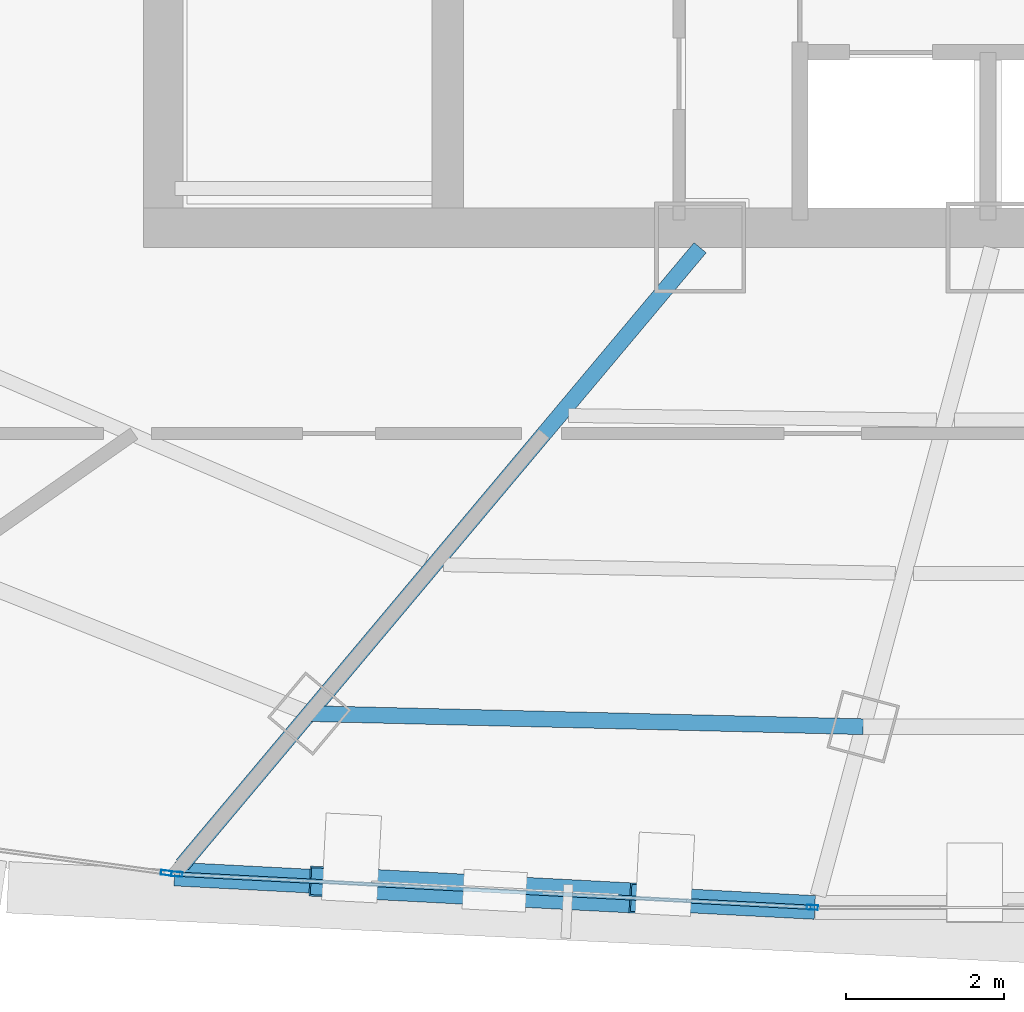
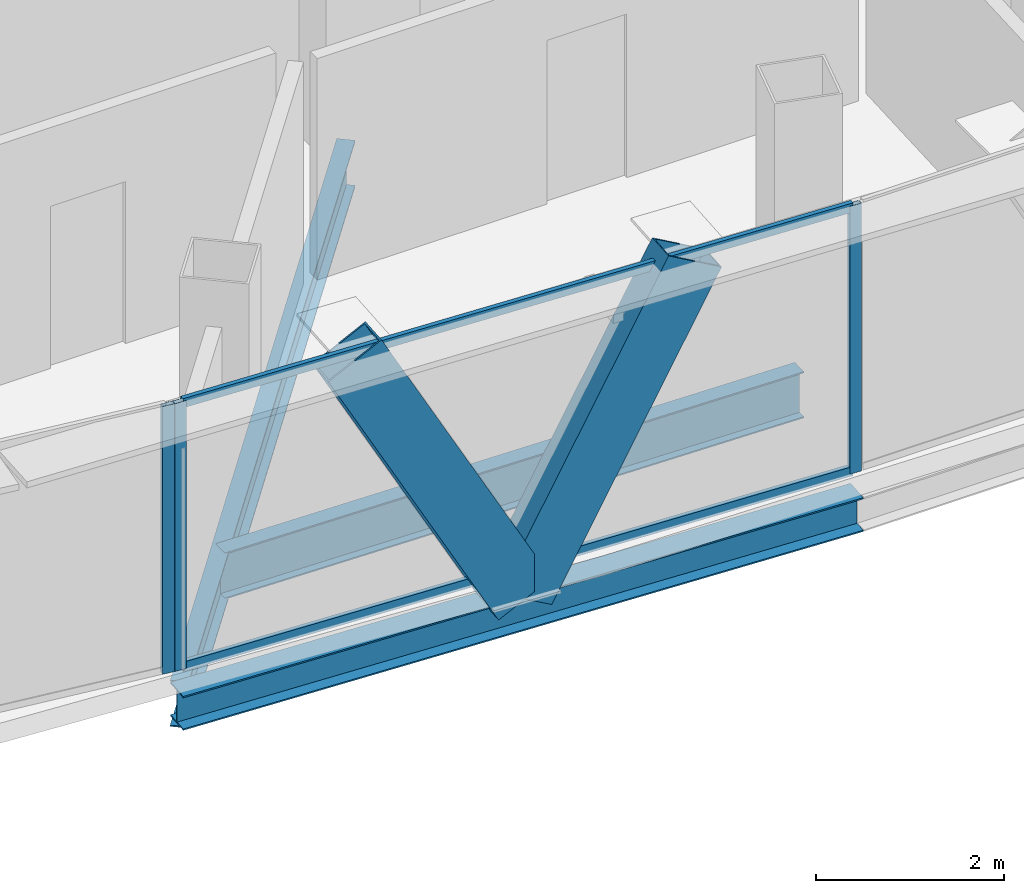
# One storey, part 6 of 39: 7 members, 3 beams, 2 elements without a shape of their own.
"""IFC4 building model written with IfcOpenShell, lengths in metres."""

from ifc_helpers import new_model, si_unit, direction, frame, origin, origin_2d, place, context, subcontext, project, spatial, hollow_rectangle, i_section, extrude, source, transform, mapped, material, layer, layer_set, material_profile, profile_set, type_object, element, aggregate, save


model = new_model("IFC4")

# Units and contexts
model_context = context("Model", 3, precision=1e-05, world=origin(), true_north=direction((0.0, 1.0)))
body_context = subcontext(model_context, "Body", "Model", "MODEL_VIEW")
ifc_project = project(units=[si_unit("LENGTHUNIT", "METRE"), si_unit("AREAUNIT", "SQUARE_METRE"), si_unit("VOLUMEUNIT", "CUBIC_METRE"), si_unit("PLANEANGLEUNIT", "RADIAN"), si_unit("MASSUNIT", "GRAM", prefix="KILO"), si_unit("THERMODYNAMICTEMPERATUREUNIT", "KELVIN"), si_unit("POWERUNIT", "WATT")], contexts=[model_context])

# Site, building, storey
site_placement = place(None, origin())
site = spatial("IfcSite", under=ifc_project, at=site_placement, CompositionType="ELEMENT")
building_placement = place(site_placement, origin())
building = spatial("IfcBuilding", under=site, at=building_placement, Name="Yunzhuo Pagoda Commons", CompositionType="ELEMENT")
storey_placement = place(building_placement, frame((0.0, 0.0, 296.2099609375)))
storey = spatial("IfcBuildingStorey", under=building, at=storey_placement, Name="L74", CompositionType="ELEMENT", Elevation=296.2099609375)

# Beams
ifc_material_1 = material(Name="Structural steel Q355B", Category="steel")
ifc_material_profile_1 = material_profile(ifc_material_1, i_section(OverallWidth=0.199951171875, OverallDepth=0.60009765625, WebThickness=0.010986328125, FlangeThickness=0.01708984375, at=origin_2d()), Name="Structural steel Q355B")
ifc_profile_set_1 = profile_set([ifc_material_profile_1], Name="Structural steel Q355B")
beam_type_1 = type_object("IfcBeamType", Name="B-RG3 Beam HN 600x200x11x17", PredefinedType="BEAM", material=ifc_profile_set_1)
shared_shape_1 = source(origin(), body_context, "Body", "SweptSolid", [
    extrude(i_section(OverallWidth=0.199951171875, OverallDepth=0.60009765625, WebThickness=0.010986328125, FlangeThickness=0.01708984375, at=origin_2d()), origin(), (0.0, 0.0, 1.0), 7.00439453125),
])
beam_1_placement = place(storey_placement, frame((37.64697265625, 21.361572265625, -0.56005859375), z_axis=(0.999719077883, -0.023701588905, 0.0), x_axis=(0.023701588905, 0.999719077883, 0.0)))
element("IfcBeam", 1, at=beam_1_placement, inside=storey, type_object=beam_type_1, Name="L74 column-ring beam 1", PredefinedType="BEAM", context=body_context, shape_type="MappedRepresentation", body=[
    mapped(shared_shape_1, transform((0.0, 0.0, 0.0), scale=1.0)),
])
shared_shape_2 = source(origin(), body_context, "Body", "SweptSolid", [
    extrude(i_section(OverallWidth=0.199951171875, OverallDepth=0.60009765625, WebThickness=0.010986328125, FlangeThickness=0.01708984375, at=origin_2d()), origin(), (0.0, 0.0, 1.0), 10.179443359375),
])
beam_2_placement = place(storey_placement, frame((36.044677734375, 19.4521484375, -0.56005859375), z_axis=(0.642789830325, 0.766042579776, 0.0), x_axis=(-0.766042579776, 0.642789830325, 0.0)))
element("IfcBeam", 2, at=beam_2_placement, inside=storey, type_object=beam_type_1, Name="L74 radial floor girder F1C1", PredefinedType="BEAM", context=body_context, shape_type="MappedRepresentation", body=[
    mapped(shared_shape_2, transform((0.0, 0.0, 0.0), scale=1.0)),
])
ifc_material_profile_2 = material_profile(ifc_material_1, i_section(OverallWidth=0.300048828125, OverallDepth=0.43994140625, WebThickness=0.010986328125, FlangeThickness=0.01806640625, at=origin_2d()), Name="Structural steel Q355B")
ifc_profile_set_2 = profile_set([ifc_material_profile_2], Name="Structural steel Q355B")
beam_type_2 = type_object("IfcBeamType", Name="B-SP2 Beam HM 440x300x11x18", PredefinedType="BEAM", material=ifc_profile_set_2)
shared_shape_3 = source(origin(), body_context, "Body", "SweptSolid", [
    extrude(i_section(OverallWidth=0.300048828125, OverallDepth=0.43994140625, WebThickness=0.010986328125, FlangeThickness=0.01806640625, at=origin_2d()), origin(), (0.0, 0.0, 1.0), 8.10302734375),
])
beam_3_placement = place(storey_placement, frame((35.945068359375, 19.33349609375, -0.479736328125), z_axis=(0.998639054255, -0.052153996166, 0.0), x_axis=(0.052153996166, 0.998639054255, 0.0)))
element("IfcBeam", 3, at=beam_3_placement, inside=storey, type_object=beam_type_2, Name="L74 facade edge spandrel beam F1.1", PredefinedType="BEAM", context=body_context, shape_type="MappedRepresentation", body=[
    mapped(shared_shape_3, transform((0.0, 0.0, 0.0), scale=1.0)),
])

# Members
ifc_material_profile_3 = material_profile(ifc_material_1, hollow_rectangle(XDim=0.3798828125, YDim=0.719970703125, WallThickness=0.02001953125, at=origin_2d()), Name="Structural steel Q355B")
ifc_profile_set_3 = profile_set([ifc_material_profile_3], Name="Structural steel Q355B")
member_type_1 = type_object("IfcMemberType", Name="M-DL3 Brace BOX 720x380x20", PredefinedType="BRACE", material=ifc_profile_set_3)
shared_shape_4 = source(origin(), body_context, "Body", "SweptSolid", [
    extrude(hollow_rectangle(XDim=0.3798828125, YDim=0.719970703125, WallThickness=0.02001953125, at=origin_2d()), origin(), (0.0, 0.0, 1.0), 4.24462890625),
])
for number, where, z_axis, x_axis, name in (
    (4, (39.9912109375, 19.1220703125, -0.260009765625), (-0.476643031928, 0.024904842865, 0.878744086134), (-0.052179333581, -0.998637730685, 0.0), "L74 facade diamond brace F1.1L"),
    (5, (39.9912109375, 19.1220703125, -0.260009765625), (0.476598580338, -0.02490552562, 0.878768176491), (0.052185613721, 0.998637402524, 0.0), "L74 facade diamond brace F1.1R"),
):
    element("IfcMember", number, at=place(storey_placement, frame(where, z_axis=z_axis, x_axis=x_axis)), inside=storey, type_object=member_type_1, Name=name, PredefinedType="BRACE", context=body_context, shape_type="MappedRepresentation", body=[
        mapped(shared_shape_4, transform((0.0, 0.0, 0.0), scale=1.0)),
    ])

# Curtain wall, members
ifc_material_2 = material(Name="Anodized aluminium 6063-T6", Category="aluminium")
ifc_layer = layer(ifc_material_2, 0.139892578125)
ifc_layer_set = layer_set([ifc_layer], Name="Anodized aluminium 6063-T6")
curtain_wall_type = type_object("IfcCurtainWallType", Name="CW-HI High-Zone Ribbon Curtain Wall", PredefinedType="NOTDEFINED", material=ifc_layer_set)
curtain_wall_1_placement = place(storey_placement, origin())
curtain_wall_1 = element("IfcCurtainWall", 6, at=curtain_wall_1_placement, inside=storey, type_object=curtain_wall_type, Name="L74 curtain wall CW-L74-F1B2", PredefinedType="NOTDEFINED")
ifc_material_profile_4 = material_profile(ifc_material_2, hollow_rectangle(XDim=0.06005859375, YDim=0.139892578125, WallThickness=0.00341796875, at=origin_2d()), Name="Anodized aluminium 6063-T6")
ifc_profile_set_4 = profile_set([ifc_material_profile_4], Name="Anodized aluminium 6063-T6")
member_type_2 = type_object("IfcMemberType", Name="CW-HI-M Mullion RHS 140x60x3.5", PredefinedType="MULLION", material=ifc_profile_set_4)
shared_shape_5 = source(origin(), body_context, "Body", "SweptSolid", [
    extrude(hollow_rectangle(XDim=0.06005859375, YDim=0.139892578125, WallThickness=0.00341796875, at=origin_2d()), origin(), (0.0, 0.0, 1.0), 3.469970703125),
])
member_1_placement = place(storey_placement, frame((35.97509765625, 19.33203125, 0.0), z_axis=(0.0, 0.0, 1.0), x_axis=(0.052189625547, 0.998637192871, 0.0)))
member_1 = element("IfcMember", 7, at=member_1_placement, type_object=member_type_2, Name="CW mullion 1", PredefinedType="MULLION", context=body_context, shape_type="MappedRepresentation", body=[
    mapped(shared_shape_5, transform((0.0, 0.0, 0.0), scale=1.0)),
])
member_2_placement = place(storey_placement, frame((44.00732421875, 18.912109375, 0.0), z_axis=(0.0, 0.0, 1.0), x_axis=(0.052189625547, 0.998637192871, 0.0)))
member_2 = element("IfcMember", 8, at=member_2_placement, type_object=member_type_2, Name="CW mullion 2", PredefinedType="MULLION", context=body_context, shape_type="MappedRepresentation", body=[
    mapped(shared_shape_5, transform((0.0, 0.0, 0.0), scale=1.0)),
])

# Curtain wall, member
curtain_wall_2_placement = place(storey_placement, origin())
curtain_wall_2 = element("IfcCurtainWall", 9, at=curtain_wall_2_placement, inside=storey, type_object=curtain_wall_type, Name="L74 curtain wall CW-L74-F1B1", PredefinedType="NOTDEFINED")
member_3_placement = place(storey_placement, frame((35.84130859375, 19.34765625, 0.0), z_axis=(0.0, 0.0, 1.0), x_axis=(0.134853980826, 0.99086548222, 0.0)))
member_3 = element("IfcMember", 10, at=member_3_placement, type_object=member_type_2, Name="CW mullion 2", PredefinedType="MULLION", context=body_context, shape_type="MappedRepresentation", body=[
    mapped(shared_shape_5, transform((0.0, 0.0, 0.0), scale=1.0)),
])
aggregate(curtain_wall_2, [member_3])

# Member
ifc_material_profile_5 = material_profile(ifc_material_2, hollow_rectangle(XDim=0.054931640625, YDim=0.1201171875, WallThickness=0.00341796875, at=origin_2d()), Name="Anodized aluminium 6063-T6")
ifc_profile_set_5 = profile_set([ifc_material_profile_5], Name="Anodized aluminium 6063-T6")
member_type_3 = type_object("IfcMemberType", Name="CW-HI-T Transom RHS 120x55x3.5", PredefinedType="USERDEFINED", material=ifc_profile_set_5)
shared_shape_6 = source(origin(), body_context, "Body", "SweptSolid", [
    extrude(hollow_rectangle(XDim=0.054931640625, YDim=0.1201171875, WallThickness=0.00341796875, at=origin_2d()), origin(), (0.0, 0.0, 1.0), 7.983154296875),
])
member_4_placement = place(storey_placement, frame((36.005126953125, 19.330322265625, 0.027587890625), z_axis=(0.998638030657, -0.052173592218, 0.0), x_axis=(0.052173592218, 0.998638030657, 0.0)))
member_4 = element("IfcMember", 11, at=member_4_placement, type_object=member_type_3, Name="CW transom 1.1", ObjectType="TRANSOM", PredefinedType="USERDEFINED", context=body_context, shape_type="MappedRepresentation", body=[
    mapped(shared_shape_6, transform((0.0, 0.0, 0.0), scale=1.0)),
])

member_5_placement = place(storey_placement, frame((36.005126953125, 19.330322265625, 3.442626953125), z_axis=(0.998638030657, -0.052173592218, 0.0), x_axis=(0.052173592218, 0.998638030657, 0.0)))
member_5 = element("IfcMember", 12, at=member_5_placement, type_object=member_type_3, Name="CW transom 1.2", ObjectType="TRANSOM", PredefinedType="USERDEFINED", context=body_context, shape_type="MappedRepresentation", body=[
    mapped(shared_shape_6, transform((0.0, 0.0, 0.0), scale=1.0)),
])

aggregate(curtain_wall_1, [member_1, member_2, member_4, member_5])

save(model, "model.ifc")
